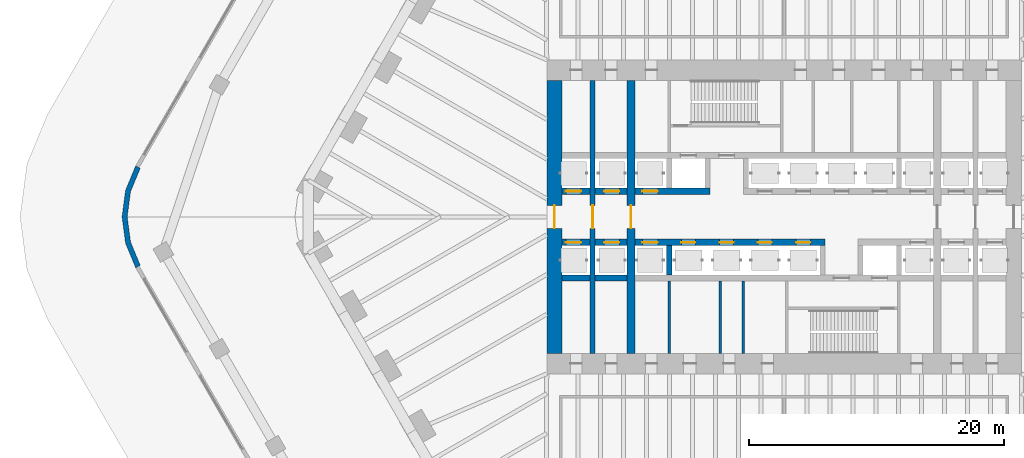
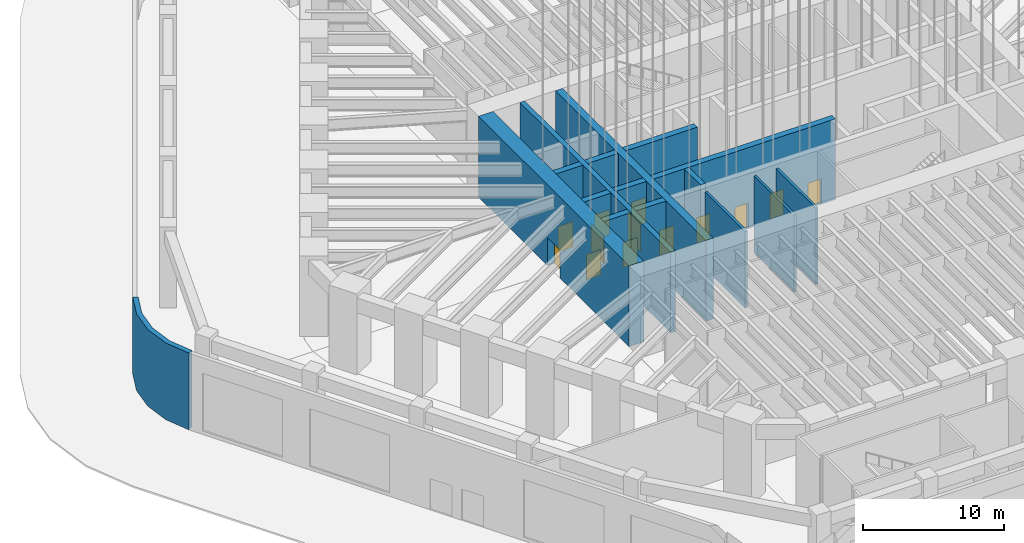
# One storey, part 6 of 23: 16 walls, 13 doors, 13 openings.
"""IFC4 building model written with IfcOpenShell, lengths in metres."""

from ifc_helpers import new_model, si_unit, direction, frame, frame_2d, origin, place, context, subcontext, project, spatial, polyline, rectangle, outline, extrude, material, layer, layer_set, type_object, element, fill, save


model = new_model("IFC4")

# Units and contexts
model_context = context("Model", 3, precision=1e-05, world=origin(), true_north=direction((0.0, 1.0)))
body_context = subcontext(model_context, "Body", "Model", "MODEL_VIEW")
ifc_project = project(units=[si_unit("LENGTHUNIT", "METRE"), si_unit("AREAUNIT", "SQUARE_METRE"), si_unit("VOLUMEUNIT", "CUBIC_METRE"), si_unit("PLANEANGLEUNIT", "RADIAN"), si_unit("MASSUNIT", "GRAM", prefix="KILO")], contexts=[model_context])

# Site, building, storey
site_placement = place(None, origin())
site = spatial("IfcSite", under=ifc_project, at=site_placement, CompositionType="ELEMENT")
building_placement = place(site_placement, origin())
building = spatial("IfcBuilding", under=site, at=building_placement, Name="Tarfa Lantern Tower", CompositionType="ELEMENT")
storey_placement = place(building_placement, origin())
storey = spatial("IfcBuildingStorey", under=building, at=storey_placement, Name="L00", CompositionType="ELEMENT", Elevation=0.0)

# Walls
ifc_material_1 = material(Name="Limestone cladding on blockwork", Category="masonry")
ifc_layer_1 = layer(ifc_material_1, 0.39990234375)
ifc_layer_set_1 = layer_set([ifc_layer_1], Name="EW2 CURVED STONE CORNER 400")
wall_type_1 = type_object("IfcWallType", Name="EW2 CURVED STONE CORNER 400", PredefinedType="SOLIDWALL", material=ifc_layer_set_1)
wall_1_placement = place(storey_placement, origin())
element("IfcWall", 1, at=wall_1_placement, inside=storey, type_object=wall_type_1, Name="Stone corner NW-SW", PredefinedType="SOLIDWALL", context=body_context, shape_type="SweptSolid", body=[
    extrude(outline(polyline([(-50.806884765625, 4.0), (-51.60595703125, 2.070556640625), (-51.878662109375, 0.0), (-51.60595703125, -2.070556640625), (-50.806884765625, -4.0), (-50.46044921875, -3.800048828125), (-51.2197265625, -1.967041015625), (-51.478515625, 0.0), (-51.2197265625, 1.967041015625), (-50.46044921875, 3.800048828125), (-50.806884765625, 4.0)])), origin(), (0.0, 0.0, 1.0), 6.64990234375),
])
ifc_material_2 = material(Name="Concrete blockwork", Category="masonry")
ifc_layer_2 = layer(ifc_material_2, 0.199951171875)
ifc_layer_set_2 = layer_set([ifc_layer_2], Name="IW1 BLOCKWORK PARTITION 200 EI 120")
wall_type_2 = type_object("IfcWallType", Name="IW1 BLOCKWORK PARTITION 200 EI 120", PredefinedType="PARTITIONING", material=ifc_layer_set_2)
for number, where, z_axis, x_axis, name in (
    (2, (-9.0, -5.050048828125, 0.0), (0.0, 0.0, 1.0), (0.0, -1.0, 0.0), "Core partition"),
    (3, (-3.199951171875, -5.050048828125, 0.0), (0.0, 0.0, 1.0), (0.0, -1.0, 0.0), "Core partition"),
    (4, (-5.0, -5.050048828125, 0.0), (0.0, 0.0, 1.0), (0.0, -1.0, 0.0), "Core partition"),
):
    element("IfcWall", number, at=place(storey_placement, frame(where, z_axis=z_axis, x_axis=x_axis)), inside=storey, type_object=wall_type_2, Name=name, PredefinedType="PARTITIONING", context=body_context, shape_type="SweptSolid", body=[
        extrude(rectangle(XDim=5.64990234375, YDim=0.199951171875, at=frame_2d((2.824951171875, 0.0))), origin(), (0.0, 0.0, 1.0), 6.64990234375),
    ])

# Wall, opening, door
ifc_material_3 = material(Name="Concrete C80/95", Category="concrete")
ifc_layer_3 = layer(ifc_material_3, 1.199951171875)
ifc_layer_set_3 = layer_set([ifc_layer_3], Name="SW1 CORE WALL 1200")
wall_type_3 = type_object("IfcWallType", Name="SW1 CORE WALL 1200", PredefinedType="SHEAR", material=ifc_layer_set_3)
wall_2_placement = place(storey_placement, frame((-18.0, 10.699951171875, 0.0), z_axis=(0.0, 0.0, 1.0), x_axis=(0.0, -1.0, 0.0)))
wall_2 = element("IfcWall", 5, at=wall_2_placement, inside=storey, type_object=wall_type_3, Name="Core wall W", PredefinedType="SHEAR", context=body_context, shape_type="SweptSolid", body=[
    extrude(rectangle(XDim=21.39990234375, YDim=1.199951171875, at=frame_2d((10.699951171875, 0.0))), origin(), (0.0, 0.0, 1.0), 7.0),
])
opening_1_placement = place(wall_2_placement, frame((9.800048828125, 0.0, 0.0)))
opening_1 = element("IfcOpeningElement", 6, at=opening_1_placement, cuts=wall_2, Name="Opening D16", PredefinedType="OPENING", context=body_context, shape_type="SweptSolid", body=[
    extrude(rectangle(XDim=1.800048828125, YDim=2.39990234375, at=frame_2d((0.89990234375, 1.199951171875))), frame((0.0, 0.60986328125, 0.0), z_axis=(0.0, -1.0, 0.0), x_axis=(1.0, 0.0, 0.0)), (0.0, 0.0, 1.0), 1.219970703125),
])
ifc_material_4 = material(Name="Steel fire door", Category="steel")
door_type_1 = type_object("IfcDoorType", Name="DL1 LOBBY DOOR 1800x2400", OperationType="DOUBLE_DOOR_SINGLE_SWING", PredefinedType="DOOR", material=ifc_material_4)
door_1_placement = place(opening_1_placement, origin())
door_1 = element("IfcDoor", 7, at=door_1_placement, inside=storey, type_object=door_type_1, Name="Lift lobby door", OperationType="DOUBLE_DOOR_SINGLE_SWING", OverallHeight=2.39990234375, OverallWidth=1.800048828125, PredefinedType="DOOR", context=body_context, shape_type="SweptSolid", body=[
    extrude(rectangle(XDim=1.800048828125, YDim=2.39990234375, at=frame_2d((0.89990234375, 1.199951171875))), frame((0.0, 0.02490234375, 0.0), z_axis=(0.0, -1.0, 0.0), x_axis=(1.0, 0.0, 0.0)), (0.0, 0.0, 1.0), 0.050048828125),
])
fill(opening_1, door_1)

ifc_layer_4 = layer(ifc_material_3, 0.5)
ifc_layer_set_4 = layer_set([ifc_layer_4], Name="SW5 CORE WALL 500")
wall_type_4 = type_object("IfcWallType", Name="SW5 CORE WALL 500", PredefinedType="SHEAR", material=ifc_layer_set_4)
wall_3_placement = place(storey_placement, frame((-17.39990234375, 2.0, 0.0), z_axis=(0.0, 0.0, 1.0), x_axis=(1.0, 0.0, 0.0)))
wall_3 = element("IfcWall", 8, at=wall_3_placement, inside=storey, type_object=wall_type_4, Name="Core wall lobby west N", PredefinedType="SHEAR", context=body_context, shape_type="SweptSolid", body=[
    extrude(rectangle(XDim=2.199951171875, YDim=0.5, at=frame_2d((1.10009765625, 0.0))), origin(), (0.0, 0.0, 1.0), 7.0),
])
opening_2_placement = place(wall_3_placement, frame((0.300048828125, 0.0, 0.0)))
opening_2 = element("IfcOpeningElement", 9, at=opening_2_placement, cuts=wall_3, Name="Opening LD11", PredefinedType="OPENING", context=body_context, shape_type="SweptSolid", body=[
    extrude(rectangle(XDim=1.199951171875, YDim=2.199951171875, at=frame_2d((0.60009765625, 1.10009765625))), frame((0.0, 0.260009765625, 0.0), z_axis=(0.0, -1.0, 0.0), x_axis=(1.0, 0.0, 0.0)), (0.0, 0.0, 1.0), 0.52001953125),
])
ifc_material_5 = material(Name="Stainless steel lift door", Category="steel")
door_type_2 = type_object("IfcDoorType", Name="LD1 LIFT LANDING DOOR 1200x2200", OperationType="SLIDING_TO_LEFT", PredefinedType="DOOR", material=ifc_material_5)
door_2_placement = place(opening_2_placement, frame((1.199951171875, 0.0, 0.0), z_axis=(0.0, 0.0, 1.0), x_axis=(-1.0, 0.0, 0.0)))
door_2 = element("IfcDoor", 10, at=door_2_placement, inside=storey, type_object=door_type_2, Name="Landing door S1", OperationType="SLIDING_TO_LEFT", OverallHeight=2.199951171875, OverallWidth=1.199951171875, PredefinedType="DOOR", context=body_context, shape_type="SweptSolid", body=[
    extrude(rectangle(XDim=1.199951171875, YDim=2.199951171875, at=frame_2d((0.60009765625, 1.10009765625))), frame((0.0, 0.02490234375, 0.0), z_axis=(0.0, -1.0, 0.0), x_axis=(1.0, 0.0, 0.0)), (0.0, 0.0, 1.0), 0.050048828125),
])
fill(opening_2, door_2)

wall_4_placement = place(storey_placement, frame((-14.800048828125, 2.0, 0.0), z_axis=(0.0, 0.0, 1.0), x_axis=(1.0, 0.0, 0.0)))
wall_4 = element("IfcWall", 11, at=wall_4_placement, inside=storey, type_object=wall_type_4, Name="Core wall lobby west N", PredefinedType="SHEAR", context=body_context, shape_type="SweptSolid", body=[
    extrude(rectangle(XDim=2.5, YDim=0.5, at=frame_2d((1.25, 0.0))), origin(), (0.0, 0.0, 1.0), 7.0),
])
opening_3_placement = place(wall_4_placement, frame((0.699951171875, 0.0, 0.0)))
opening_3 = element("IfcOpeningElement", 12, at=opening_3_placement, cuts=wall_4, Name="Opening LD18", PredefinedType="OPENING", context=body_context, shape_type="SweptSolid", body=[
    extrude(rectangle(XDim=1.199951171875, YDim=2.199951171875, at=frame_2d((0.60009765625, 1.10009765625))), frame((0.0, 0.260009765625, 0.0), z_axis=(0.0, -1.0, 0.0), x_axis=(1.0, 0.0, 0.0)), (0.0, 0.0, 1.0), 0.52001953125),
])
door_3_placement = place(opening_3_placement, frame((1.199951171875, 0.0, 0.0), z_axis=(0.0, 0.0, 1.0), x_axis=(-1.0, 0.0, 0.0)))
door_3 = element("IfcDoor", 13, at=door_3_placement, inside=storey, type_object=door_type_2, Name="Landing door S5", OperationType="SLIDING_TO_LEFT", OverallHeight=2.199951171875, OverallWidth=1.199951171875, PredefinedType="DOOR", context=body_context, shape_type="SweptSolid", body=[
    extrude(rectangle(XDim=1.199951171875, YDim=2.199951171875, at=frame_2d((0.60009765625, 1.10009765625))), frame((0.0, 0.02490234375, 0.0), z_axis=(0.0, -1.0, 0.0), x_axis=(1.0, 0.0, 0.0)), (0.0, 0.0, 1.0), 0.050048828125),
])
fill(opening_3, door_3)

wall_5_placement = place(storey_placement, frame((-11.699951171875, 2.0, 0.0), z_axis=(0.0, 0.0, 1.0), x_axis=(1.0, 0.0, 0.0)))
wall_5 = element("IfcWall", 14, at=wall_5_placement, inside=storey, type_object=wall_type_4, Name="Core wall lobby west N", PredefinedType="SHEAR", context=body_context, shape_type="SweptSolid", body=[
    extrude(rectangle(XDim=5.89990234375, YDim=0.5, at=frame_2d((2.949951171875, 0.0))), origin(), (0.0, 0.0, 1.0), 7.0),
])
opening_4_placement = place(wall_5_placement, frame((0.60009765625, 0.0, 0.0)))
opening_4 = element("IfcOpeningElement", 15, at=opening_4_placement, cuts=wall_5, Name="Opening LD22", PredefinedType="OPENING", context=body_context, shape_type="SweptSolid", body=[
    extrude(rectangle(XDim=1.199951171875, YDim=2.199951171875, at=frame_2d((0.60009765625, 1.10009765625))), frame((0.0, 0.260009765625, 0.0), z_axis=(0.0, -1.0, 0.0), x_axis=(1.0, 0.0, 0.0)), (0.0, 0.0, 1.0), 0.52001953125),
])
door_4_placement = place(opening_4_placement, frame((1.199951171875, 0.0, 0.0), z_axis=(0.0, 0.0, 1.0), x_axis=(-1.0, 0.0, 0.0)))
door_4 = element("IfcDoor", 16, at=door_4_placement, inside=storey, type_object=door_type_2, Name="Landing door S9", OperationType="SLIDING_TO_LEFT", OverallHeight=2.199951171875, OverallWidth=1.199951171875, PredefinedType="DOOR", context=body_context, shape_type="SweptSolid", body=[
    extrude(rectangle(XDim=1.199951171875, YDim=2.199951171875, at=frame_2d((0.60009765625, 1.10009765625))), frame((0.0, 0.02490234375, 0.0), z_axis=(0.0, -1.0, 0.0), x_axis=(1.0, 0.0, 0.0)), (0.0, 0.0, 1.0), 0.050048828125),
])
fill(opening_4, door_4)

# Wall, openings, doors
wall_6_placement = place(storey_placement, frame((3.199951171875, -2.0, 0.0), z_axis=(0.0, 0.0, 1.0), x_axis=(-1.0, 0.0, 0.0)))
wall_6 = element("IfcWall", 17, at=wall_6_placement, inside=storey, type_object=wall_type_4, Name="Core wall lobby east S", PredefinedType="SHEAR", context=body_context, shape_type="SweptSolid", body=[
    extrude(rectangle(XDim=14.89990234375, YDim=0.5, at=frame_2d((7.449951171875, 0.0))), origin(), (0.0, 0.0, 1.0), 7.0),
])
opening_5_placement = place(wall_6_placement, frame((1.14990234375, 0.0, 0.0)))
opening_5 = element("IfcOpeningElement", 18, at=opening_5_placement, cuts=wall_6, Name="Opening LD07", PredefinedType="OPENING", context=body_context, shape_type="SweptSolid", body=[
    extrude(rectangle(XDim=1.10009765625, YDim=2.199951171875, at=frame_2d((0.550048828125, 1.10009765625))), frame((0.0, 0.260009765625, 0.0), z_axis=(0.0, -1.0, 0.0), x_axis=(1.0, 0.0, 0.0)), (0.0, 0.0, 1.0), 0.52001953125),
])
opening_6_placement = place(wall_6_placement, frame((4.14990234375, 0.0, 0.0)))
opening_6 = element("IfcOpeningElement", 19, at=opening_6_placement, cuts=wall_6, Name="Opening LD08", PredefinedType="OPENING", context=body_context, shape_type="SweptSolid", body=[
    extrude(rectangle(XDim=1.10009765625, YDim=2.199951171875, at=frame_2d((0.550048828125, 1.10009765625))), frame((0.0, 0.260009765625, 0.0), z_axis=(0.0, -1.0, 0.0), x_axis=(1.0, 0.0, 0.0)), (0.0, 0.0, 1.0), 0.52001953125),
])
opening_7_placement = place(wall_6_placement, frame((7.14990234375, 0.0, 0.0)))
opening_7 = element("IfcOpeningElement", 20, at=opening_7_placement, cuts=wall_6, Name="Opening LD09", PredefinedType="OPENING", context=body_context, shape_type="SweptSolid", body=[
    extrude(rectangle(XDim=1.10009765625, YDim=2.199951171875, at=frame_2d((0.550048828125, 1.10009765625))), frame((0.0, 0.260009765625, 0.0), z_axis=(0.0, -1.0, 0.0), x_axis=(1.0, 0.0, 0.0)), (0.0, 0.0, 1.0), 0.52001953125),
])
opening_8_placement = place(wall_6_placement, frame((10.14990234375, 0.0, 0.0)))
opening_8 = element("IfcOpeningElement", 21, at=opening_8_placement, cuts=wall_6, Name="Opening LD10", PredefinedType="OPENING", context=body_context, shape_type="SweptSolid", body=[
    extrude(rectangle(XDim=1.10009765625, YDim=2.199951171875, at=frame_2d((0.550048828125, 1.10009765625))), frame((0.0, 0.260009765625, 0.0), z_axis=(0.0, -1.0, 0.0), x_axis=(1.0, 0.0, 0.0)), (0.0, 0.0, 1.0), 0.52001953125),
])
opening_9_placement = place(wall_6_placement, frame((13.10009765625, 0.0, 0.0)))
opening_9 = element("IfcOpeningElement", 22, at=opening_9_placement, cuts=wall_6, Name="Opening LD14", PredefinedType="OPENING", context=body_context, shape_type="SweptSolid", body=[
    extrude(rectangle(XDim=1.199951171875, YDim=2.199951171875, at=frame_2d((0.60009765625, 1.10009765625))), frame((0.0, 0.260009765625, 0.0), z_axis=(0.0, -1.0, 0.0), x_axis=(1.0, 0.0, 0.0)), (0.0, 0.0, 1.0), 0.52001953125),
])
door_5_placement = place(opening_9_placement, frame((1.199951171875, 0.0, 0.0), z_axis=(0.0, 0.0, 1.0), x_axis=(-1.0, 0.0, 0.0)))
door_5 = element("IfcDoor", 23, at=door_5_placement, inside=storey, type_object=door_type_2, Name="Landing door S12", OperationType="SLIDING_TO_LEFT", OverallHeight=2.199951171875, OverallWidth=1.199951171875, PredefinedType="DOOR", context=body_context, shape_type="SweptSolid", body=[
    extrude(rectangle(XDim=1.199951171875, YDim=2.199951171875, at=frame_2d((0.60009765625, 1.10009765625))), frame((0.0, 0.02490234375, 0.0), z_axis=(0.0, -1.0, 0.0), x_axis=(1.0, 0.0, 0.0)), (0.0, 0.0, 1.0), 0.050048828125),
])
fill(opening_9, door_5)
door_type_3 = type_object("IfcDoorType", Name="LD2 LIFT LANDING DOOR 1100x2200", OperationType="SLIDING_TO_LEFT", PredefinedType="DOOR", material=ifc_material_5)
door_6_placement = place(opening_5_placement, frame((1.10009765625, 0.0, 0.0), z_axis=(0.0, 0.0, 1.0), x_axis=(-1.0, 0.0, 0.0)))
door_6 = element("IfcDoor", 24, at=door_6_placement, inside=storey, type_object=door_type_3, Name="Landing door PA5", OperationType="SLIDING_TO_LEFT", OverallHeight=2.199951171875, OverallWidth=1.10009765625, PredefinedType="DOOR", context=body_context, shape_type="SweptSolid", body=[
    extrude(rectangle(XDim=1.10009765625, YDim=2.199951171875, at=frame_2d((0.550048828125, 1.10009765625))), frame((0.0, 0.02490234375, 0.0), z_axis=(0.0, -1.0, 0.0), x_axis=(1.0, 0.0, 0.0)), (0.0, 0.0, 1.0), 0.050048828125),
])
fill(opening_5, door_6)
door_7_placement = place(opening_6_placement, frame((1.10009765625, 0.0, 0.0), z_axis=(0.0, 0.0, 1.0), x_axis=(-1.0, 0.0, 0.0)))
door_7 = element("IfcDoor", 25, at=door_7_placement, inside=storey, type_object=door_type_3, Name="Landing door PA6", OperationType="SLIDING_TO_LEFT", OverallHeight=2.199951171875, OverallWidth=1.10009765625, PredefinedType="DOOR", context=body_context, shape_type="SweptSolid", body=[
    extrude(rectangle(XDim=1.10009765625, YDim=2.199951171875, at=frame_2d((0.550048828125, 1.10009765625))), frame((0.0, 0.02490234375, 0.0), z_axis=(0.0, -1.0, 0.0), x_axis=(1.0, 0.0, 0.0)), (0.0, 0.0, 1.0), 0.050048828125),
])
fill(opening_6, door_7)
door_8_placement = place(opening_7_placement, frame((1.10009765625, 0.0, 0.0), z_axis=(0.0, 0.0, 1.0), x_axis=(-1.0, 0.0, 0.0)))
door_8 = element("IfcDoor", 26, at=door_8_placement, inside=storey, type_object=door_type_3, Name="Landing door PA7", OperationType="SLIDING_TO_LEFT", OverallHeight=2.199951171875, OverallWidth=1.10009765625, PredefinedType="DOOR", context=body_context, shape_type="SweptSolid", body=[
    extrude(rectangle(XDim=1.10009765625, YDim=2.199951171875, at=frame_2d((0.550048828125, 1.10009765625))), frame((0.0, 0.02490234375, 0.0), z_axis=(0.0, -1.0, 0.0), x_axis=(1.0, 0.0, 0.0)), (0.0, 0.0, 1.0), 0.050048828125),
])
fill(opening_7, door_8)
door_9_placement = place(opening_8_placement, frame((1.10009765625, 0.0, 0.0), z_axis=(0.0, 0.0, 1.0), x_axis=(-1.0, 0.0, 0.0)))
door_9 = element("IfcDoor", 27, at=door_9_placement, inside=storey, type_object=door_type_3, Name="Landing door PA8", OperationType="SLIDING_TO_LEFT", OverallHeight=2.199951171875, OverallWidth=1.10009765625, PredefinedType="DOOR", context=body_context, shape_type="SweptSolid", body=[
    extrude(rectangle(XDim=1.10009765625, YDim=2.199951171875, at=frame_2d((0.550048828125, 1.10009765625))), frame((0.0, 0.02490234375, 0.0), z_axis=(0.0, -1.0, 0.0), x_axis=(1.0, 0.0, 0.0)), (0.0, 0.0, 1.0), 0.050048828125),
])
fill(opening_8, door_9)

# Wall, opening, door
wall_7_placement = place(storey_placement, frame((-12.300048828125, -2.0, 0.0), z_axis=(0.0, 0.0, 1.0), x_axis=(-1.0, 0.0, 0.0)))
wall_7 = element("IfcWall", 28, at=wall_7_placement, inside=storey, type_object=wall_type_4, Name="Core wall lobby east S", PredefinedType="SHEAR", context=body_context, shape_type="SweptSolid", body=[
    extrude(rectangle(XDim=2.5, YDim=0.5, at=frame_2d((1.25, 0.0))), origin(), (0.0, 0.0, 1.0), 7.0),
])
opening_10_placement = place(wall_7_placement, frame((0.60009765625, 0.0, 0.0)))
opening_10 = element("IfcOpeningElement", 29, at=opening_10_placement, cuts=wall_7, Name="Opening LD21", PredefinedType="OPENING", context=body_context, shape_type="SweptSolid", body=[
    extrude(rectangle(XDim=1.199951171875, YDim=2.199951171875, at=frame_2d((0.60009765625, 1.10009765625))), frame((0.0, 0.260009765625, 0.0), z_axis=(0.0, -1.0, 0.0), x_axis=(1.0, 0.0, 0.0)), (0.0, 0.0, 1.0), 0.52001953125),
])
door_10_placement = place(opening_10_placement, frame((1.199951171875, 0.0, 0.0), z_axis=(0.0, 0.0, 1.0), x_axis=(-1.0, 0.0, 0.0)))
door_10 = element("IfcDoor", 30, at=door_10_placement, inside=storey, type_object=door_type_2, Name="Landing door S8", OperationType="SLIDING_TO_LEFT", OverallHeight=2.199951171875, OverallWidth=1.199951171875, PredefinedType="DOOR", context=body_context, shape_type="SweptSolid", body=[
    extrude(rectangle(XDim=1.199951171875, YDim=2.199951171875, at=frame_2d((0.60009765625, 1.10009765625))), frame((0.0, 0.02490234375, 0.0), z_axis=(0.0, -1.0, 0.0), x_axis=(1.0, 0.0, 0.0)), (0.0, 0.0, 1.0), 0.050048828125),
])
fill(opening_10, door_10)

wall_8_placement = place(storey_placement, frame((-15.199951171875, -2.0, 0.0), z_axis=(0.0, 0.0, 1.0), x_axis=(-1.0, 0.0, 0.0)))
wall_8 = element("IfcWall", 31, at=wall_8_placement, inside=storey, type_object=wall_type_4, Name="Core wall lobby east S", PredefinedType="SHEAR", context=body_context, shape_type="SweptSolid", body=[
    extrude(rectangle(XDim=2.199951171875, YDim=0.5, at=frame_2d((1.10009765625, 0.0))), origin(), (0.0, 0.0, 1.0), 7.0),
])
opening_11_placement = place(wall_8_placement, frame((0.699951171875, 0.0, 0.0)))
opening_11 = element("IfcOpeningElement", 32, at=opening_11_placement, cuts=wall_8, Name="Opening LD17", PredefinedType="OPENING", context=body_context, shape_type="SweptSolid", body=[
    extrude(rectangle(XDim=1.199951171875, YDim=2.199951171875, at=frame_2d((0.60009765625, 1.10009765625))), frame((0.0, 0.260009765625, 0.0), z_axis=(0.0, -1.0, 0.0), x_axis=(1.0, 0.0, 0.0)), (0.0, 0.0, 1.0), 0.52001953125),
])
door_11_placement = place(opening_11_placement, frame((1.199951171875, 0.0, 0.0), z_axis=(0.0, 0.0, 1.0), x_axis=(-1.0, 0.0, 0.0)))
door_11 = element("IfcDoor", 33, at=door_11_placement, inside=storey, type_object=door_type_2, Name="Landing door S4", OperationType="SLIDING_TO_LEFT", OverallHeight=2.199951171875, OverallWidth=1.199951171875, PredefinedType="DOOR", context=body_context, shape_type="SweptSolid", body=[
    extrude(rectangle(XDim=1.199951171875, YDim=2.199951171875, at=frame_2d((0.60009765625, 1.10009765625))), frame((0.0, 0.02490234375, 0.0), z_axis=(0.0, -1.0, 0.0), x_axis=(1.0, 0.0, 0.0)), (0.0, 0.0, 1.0), 0.050048828125),
])
fill(opening_11, door_11)

# Walls
wall_9_placement = place(storey_placement, frame((-12.300048828125, -4.800048828125, 0.0), z_axis=(0.0, 0.0, 1.0), x_axis=(-1.0, 0.0, 0.0)))
element("IfcWall", 34, at=wall_9_placement, inside=storey, type_object=wall_type_4, Name="Core wall rear S", PredefinedType="SHEAR", context=body_context, shape_type="SweptSolid", body=[
    extrude(rectangle(XDim=2.5, YDim=0.5, at=frame_2d((1.25, 0.0))), origin(), (0.0, 0.0, 1.0), 7.0),
])
wall_10_placement = place(storey_placement, frame((-15.199951171875, -4.800048828125, 0.0), z_axis=(0.0, 0.0, 1.0), x_axis=(-1.0, 0.0, 0.0)))
element("IfcWall", 35, at=wall_10_placement, inside=storey, type_object=wall_type_4, Name="Core wall rear S", PredefinedType="SHEAR", context=body_context, shape_type="SweptSolid", body=[
    extrude(rectangle(XDim=2.199951171875, YDim=0.5, at=frame_2d((1.10009765625, 0.0))), origin(), (0.0, 0.0, 1.0), 7.0),
])

# Wall, opening, door
ifc_layer_5 = layer(ifc_material_3, 0.39990234375)
ifc_layer_set_5 = layer_set([ifc_layer_5], Name="SW6 CORE WALL 400")
wall_type_5 = type_object("IfcWallType", Name="SW6 CORE WALL 400", PredefinedType="SHEAR", material=ifc_layer_set_5)
wall_11_placement = place(storey_placement, frame((-15.0, -10.699951171875, 0.0), z_axis=(0.0, 0.0, 1.0), x_axis=(0.0, 1.0, 0.0)))
wall_11 = element("IfcWall", 36, at=wall_11_placement, inside=storey, type_object=wall_type_5, Name="Core wall cross 15 m west", PredefinedType="SHEAR", context=body_context, shape_type="SweptSolid", body=[
    extrude(rectangle(XDim=21.39990234375, YDim=0.39990234375, at=frame_2d((10.699951171875, 0.0))), origin(), (0.0, 0.0, 1.0), 7.0),
])
opening_12_placement = place(wall_11_placement, frame((9.800048828125, 0.0, 0.0)))
opening_12 = element("IfcOpeningElement", 37, at=opening_12_placement, cuts=wall_11, Name="Opening D28", PredefinedType="OPENING", context=body_context, shape_type="SweptSolid", body=[
    extrude(rectangle(XDim=1.800048828125, YDim=2.39990234375, at=frame_2d((0.89990234375, 1.199951171875))), frame((0.0, 0.2099609375, 0.0), z_axis=(0.0, -1.0, 0.0), x_axis=(1.0, 0.0, 0.0)), (0.0, 0.0, 1.0), 0.419921875),
])
door_12_placement = place(opening_12_placement, origin())
door_12 = element("IfcDoor", 38, at=door_12_placement, inside=storey, type_object=door_type_1, Name="Lift lobby door", OperationType="DOUBLE_DOOR_SINGLE_SWING", OverallHeight=2.39990234375, OverallWidth=1.800048828125, PredefinedType="DOOR", context=body_context, shape_type="SweptSolid", body=[
    extrude(rectangle(XDim=1.800048828125, YDim=2.39990234375, at=frame_2d((0.89990234375, 1.199951171875))), frame((0.0, 0.02490234375, 0.0), z_axis=(0.0, -1.0, 0.0), x_axis=(1.0, 0.0, 0.0)), (0.0, 0.0, 1.0), 0.050048828125),
])
fill(opening_12, door_12)

# Wall
wall_12_placement = place(storey_placement, frame((-9.0, -2.25, 0.0), z_axis=(0.0, 0.0, 1.0), x_axis=(0.0, -1.0, 0.0)))
element("IfcWall", 39, at=wall_12_placement, inside=storey, type_object=wall_type_5, Name="Core wall divider S", PredefinedType="SHEAR", context=body_context, shape_type="SweptSolid", body=[
    extrude(rectangle(XDim=2.300048828125, YDim=0.39990234375, at=frame_2d((1.14990234375, 0.0))), origin(), (0.0, 0.0, 1.0), 7.0),
])

# Wall, opening, door
ifc_layer_6 = layer(ifc_material_3, 0.60009765625)
ifc_layer_set_6 = layer_set([ifc_layer_6], Name="SW9 CORE WALL 600")
wall_type_6 = type_object("IfcWallType", Name="SW9 CORE WALL 600", PredefinedType="SHEAR", material=ifc_layer_set_6)
wall_13_placement = place(storey_placement, frame((-12.0, -10.699951171875, 0.0), z_axis=(0.0, 0.0, 1.0), x_axis=(0.0, 1.0, 0.0)))
wall_13 = element("IfcWall", 40, at=wall_13_placement, inside=storey, type_object=wall_type_6, Name="Core wall cross 12 m west", PredefinedType="SHEAR", context=body_context, shape_type="SweptSolid", body=[
    extrude(rectangle(XDim=21.39990234375, YDim=0.60009765625, at=frame_2d((10.699951171875, 0.0))), origin(), (0.0, 0.0, 1.0), 7.0),
])
opening_13_placement = place(wall_13_placement, frame((9.800048828125, 0.0, 0.0)))
opening_13 = element("IfcOpeningElement", 41, at=opening_13_placement, cuts=wall_13, Name="Opening D27", PredefinedType="OPENING", context=body_context, shape_type="SweptSolid", body=[
    extrude(rectangle(XDim=1.800048828125, YDim=2.39990234375, at=frame_2d((0.89990234375, 1.199951171875))), frame((0.0, 0.31005859375, 0.0), z_axis=(0.0, -1.0, 0.0), x_axis=(1.0, 0.0, 0.0)), (0.0, 0.0, 1.0), 0.6201171875),
])
door_13_placement = place(opening_13_placement, origin())
door_13 = element("IfcDoor", 42, at=door_13_placement, inside=storey, type_object=door_type_1, Name="Lift lobby door", OperationType="DOUBLE_DOOR_SINGLE_SWING", OverallHeight=2.39990234375, OverallWidth=1.800048828125, PredefinedType="DOOR", context=body_context, shape_type="SweptSolid", body=[
    extrude(rectangle(XDim=1.800048828125, YDim=2.39990234375, at=frame_2d((0.89990234375, 1.199951171875))), frame((0.0, 0.02490234375, 0.0), z_axis=(0.0, -1.0, 0.0), x_axis=(1.0, 0.0, 0.0)), (0.0, 0.0, 1.0), 0.050048828125),
])
fill(opening_13, door_13)

save(model, "model.ifc")
